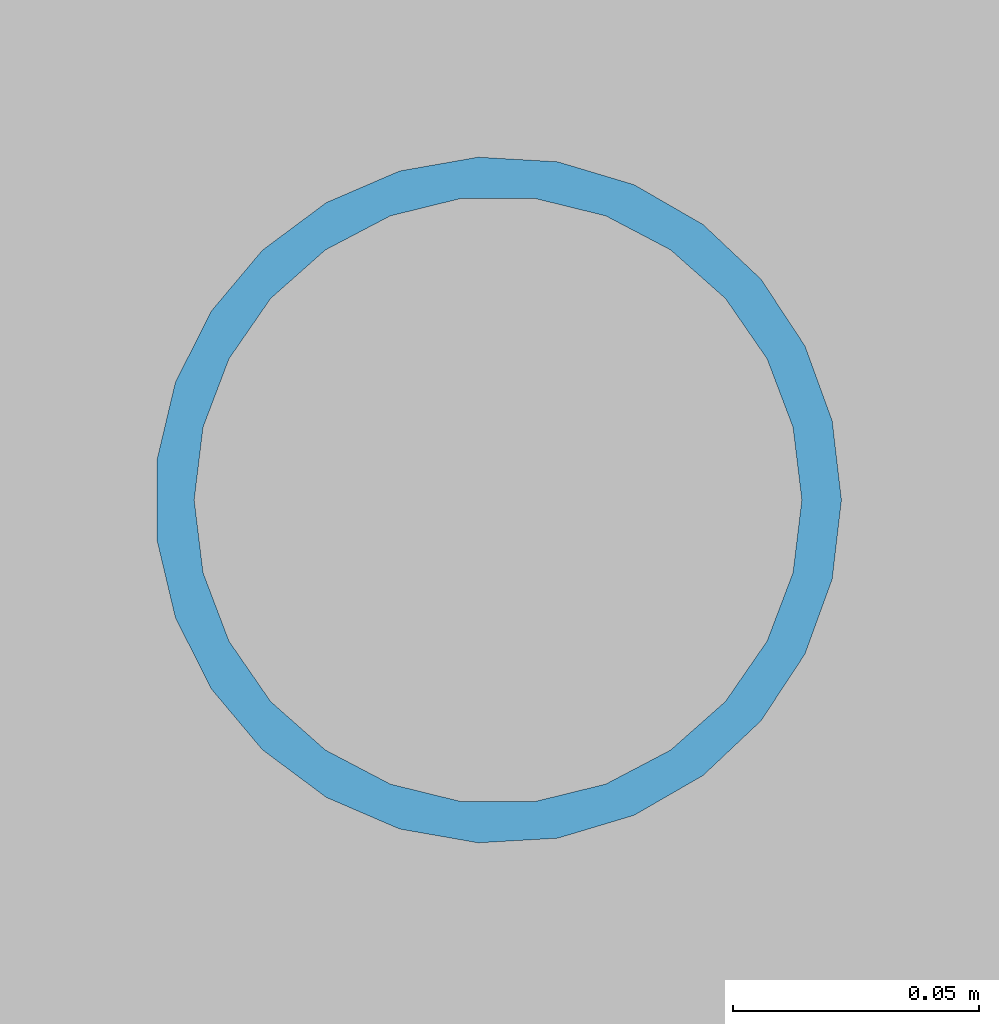
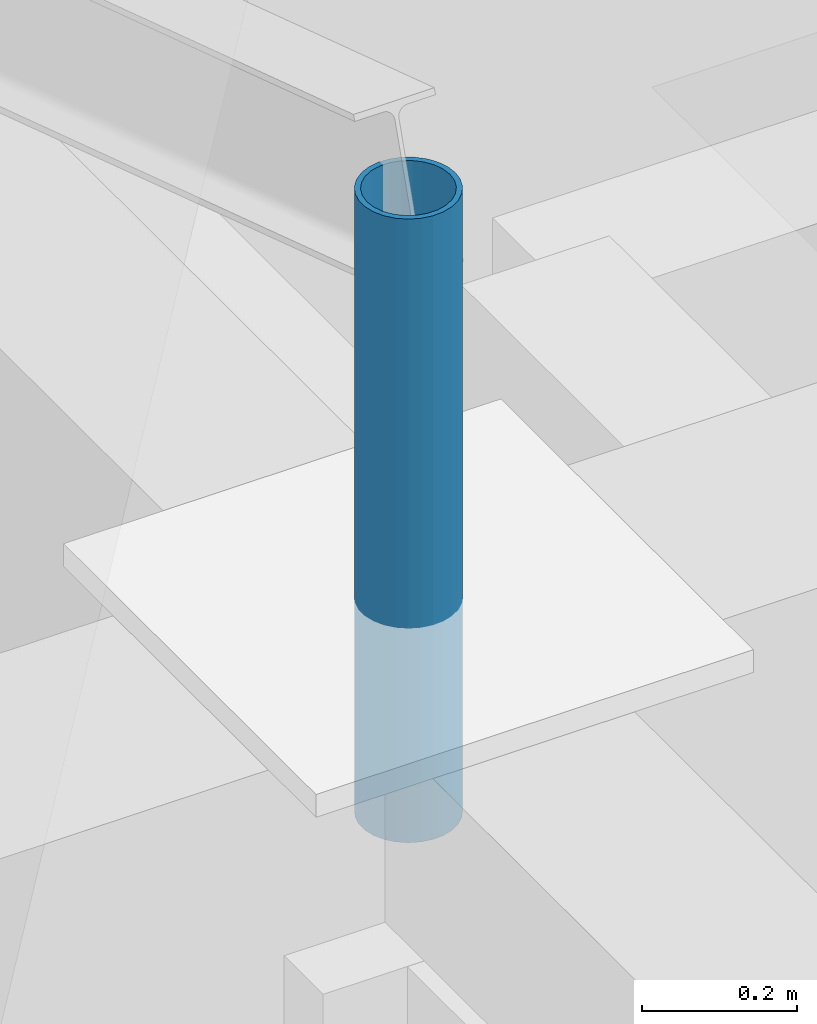
# One storey, part 26 of 39: 1 member.
"""IFC4 building model written with IfcOpenShell, lengths in metres."""

import ifcopenshell
import ifcopenshell.guid

model = None  # the IFC model being written
_history = None  # IfcOwnerHistory: only IFC2X3 demands one
_inside = {}  # id of a spatial element -> (the spatial element, [elements in it])
_under = {}  # id of a project, library or spatial element -> (it, [spatial elements below it])
_declared = {}  # id of a project -> (the project, [libraries it declares])
_typed = {}  # id of a type object -> (the type object, [elements of that type])
_made_of = {}  # id of a material, layer set ... -> (it, [elements and type objects made of it])


def new_model(schema):
    """Start an empty IFC model of exactly this schema.

    Asked for "IFC4X3", IfcOpenShell would pick the latest addendum, in which some entities
    have other attributes; the version numbers below select the first issue.
    IFC2X3 requires an IfcOwnerHistory on every rooted entity: one is made here for all.
    """
    global model, _history
    if schema == "IFC4X3":
        model = ifcopenshell.file(schema_version=(4, 3, 0, 0))
    else:
        model = ifcopenshell.file(schema=schema)
    _inside.clear()
    _under.clear()
    _declared.clear()
    _typed.clear()
    _made_of.clear()
    _history = None
    if model.schema == "IFC2X3":
        org = make("IfcOrganization", Name="unknown")
        user = make(
            "IfcPersonAndOrganization",
            ThePerson=make("IfcPerson", FamilyName="unknown"),
            TheOrganization=org,
        )
        app = make(
            "IfcApplication",
            ApplicationDeveloper=org,
            Version="unknown",
            ApplicationFullName="unknown",
            ApplicationIdentifier="unknown",
        )
        _history = make(
            "IfcOwnerHistory",
            OwningUser=user,
            OwningApplication=app,
            ChangeAction="ADDED",
            CreationDate=0,
        )
    return model


def make(cls, **values):
    """One entity of the class cls with the attributes given. An attribute that is None is left unset."""
    return model.create_entity(
        cls, **{name: value for name, value in values.items() if value is not None}
    )


def rooted(cls, **values):
    """An entity with a GlobalId (a new one), such as an element, a storey or a relation."""
    return make(cls, GlobalId=ifcopenshell.guid.new(), OwnerHistory=_history, **values)


def si_unit(unit_type, name, prefix=None):
    """IfcSIUnit, for example si_unit("LENGTHUNIT", "METRE", prefix="MILLI")."""
    return make("IfcSIUnit", UnitType=unit_type, Prefix=prefix, Name=name)


def assignment(units):
    """IfcUnitAssignment: the units of a project."""
    return None if units is None else make("IfcUnitAssignment", Units=units)


def point(xyz):
    """IfcCartesianPoint."""
    return None if xyz is None else make("IfcCartesianPoint", Coordinates=xyz)


def direction(xyz):
    """IfcDirection."""
    return None if xyz is None else make("IfcDirection", DirectionRatios=xyz)


def frame(location, z_axis=None, x_axis=None):
    """IfcAxis2Placement3D, a coordinate frame: its origin and axes. An axis left out is left unset."""
    return make(
        "IfcAxis2Placement3D",
        Location=point(location),
        Axis=direction(z_axis),
        RefDirection=direction(x_axis),
    )


def frame_2d(location, x_axis=None):
    """IfcAxis2Placement2D, a coordinate frame in the plane: its origin and x axis."""
    return make(
        "IfcAxis2Placement2D", Location=point(location), RefDirection=direction(x_axis)
    )


def origin():
    """The frame at (0, 0, 0) with its axes left unset."""
    return frame((0.0, 0.0, 0.0))


def origin_2d():
    """The frame at (0, 0) in the plane with its x axis left unset."""
    return frame_2d((0.0, 0.0))


def place(relative_to, where):
    """IfcLocalPlacement: puts the frame where relative to a parent placement (None: the world)."""
    return make(
        "IfcLocalPlacement", PlacementRelTo=relative_to, RelativePlacement=where
    )


def context(
    kind, dimensions, precision=None, world=None, true_north=None, identifier=None
):
    """IfcGeometricRepresentationContext, for example the 3D "Model" context."""
    return make(
        "IfcGeometricRepresentationContext",
        ContextIdentifier=identifier,
        ContextType=kind,
        CoordinateSpaceDimension=dimensions,
        Precision=precision,
        WorldCoordinateSystem=world,
        TrueNorth=true_north,
    )


def subcontext(parent, identifier, kind, view, scale=None):
    """IfcGeometricRepresentationSubContext, for example "Body" below "Model"."""
    return make(
        "IfcGeometricRepresentationSubContext",
        ContextIdentifier=identifier,
        ContextType=kind,
        ParentContext=parent,
        TargetScale=scale,
        TargetView=view,
    )


def project(units=None, contexts=None):
    """IfcProject with its units and contexts."""
    return rooted(
        "IfcProject",
        Name="project",
        RepresentationContexts=contexts,
        UnitsInContext=assignment(units),
    )


def spatial(cls, under=None, at=None, **own):
    """A site, building, storey or space (cls), placed at a placement, below another one or the project."""
    s = rooted(cls, ObjectPlacement=at, **own)
    if under is not None:
        _under.setdefault(under.id(), (under, []))[1].append(s)
    return s


def profile(cls, at=None, kind="AREA", **sizes):
    """A parametric profile (cls). Its sizes go by their IFC names, for example OverallWidth=200.0."""
    return make(cls, ProfileType=kind, Position=at, **sizes)


def hollow_circle(**sizes):
    """IfcCircleHollowProfileDef."""
    return profile("IfcCircleHollowProfileDef", **sizes)


def extrude(swept, where, along, depth):
    """IfcExtrudedAreaSolid: the profile swept, set in the frame where, extruded along a direction by depth."""
    return make(
        "IfcExtrudedAreaSolid",
        SweptArea=swept,
        Position=where,
        ExtrudedDirection=direction(along),
        Depth=depth,
    )


def shape(context_of_items, identifier, shape_type, items):
    """IfcShapeRepresentation: the items that make up one representation, for example the "Body"."""
    return make(
        "IfcShapeRepresentation",
        ContextOfItems=context_of_items,
        RepresentationIdentifier=identifier,
        RepresentationType=shape_type,
        Items=items,
    )


def material(Name=None, Category=None):
    """IfcMaterial."""
    return make("IfcMaterial", Name=Name, Category=Category)


def material_profile(
    of_material, cross_section, Name=None, Category=None, Priority=None
):
    """IfcMaterialProfile: a cross section and its material."""
    return make(
        "IfcMaterialProfile",
        Name=Name,
        Material=of_material,
        Profile=cross_section,
        Priority=Priority,
        Category=Category,
    )


def profile_set(profiles, Name=None, composite=None):
    """IfcMaterialProfileSet."""
    return make(
        "IfcMaterialProfileSet",
        Name=Name,
        MaterialProfiles=profiles,
        CompositeProfile=composite,
    )


def made_of(thing, what):
    """Note that an element or type object is made of a material, layer set ...; save() writes the relation."""
    if what is not None:
        _made_of.setdefault(what.id(), (what, []))[1].append(thing)
    return thing


def type_object(cls, material=None, **own):
    """A type object (cls), such as IfcWallType, which elements share."""
    return made_of(rooted(cls, **own), material)


def element(
    cls,
    number,
    at=None,
    inside=None,
    cuts=None,
    type_object=None,
    material=None,
    context=None,
    identifier="Body",
    shape_type=None,
    held_by="IfcProductDefinitionShape",
    body=None,
    shapes=None,
    **own,
):
    """One element of the class cls, such as IfcWall. Its Tag is "e" and its number.

    at: its placement. inside: the storey or other place that contains it. cuts: it is an
    opening in that element (IfcRelVoidsElement). A single representation is given by context,
    identifier, shape_type and body (its items); several are given by shapes. held_by: the class
    of the entity that holds the representations. save() writes the other relations.
    """
    e = rooted(cls, Tag="e%d" % number, ObjectPlacement=at, **own)
    if body is not None:
        shapes = [shape(context, identifier, shape_type, body)]
    if shapes is not None:
        e.Representation = make(held_by, Representations=shapes)
    if inside is not None:
        _inside.setdefault(inside.id(), (inside, []))[1].append(e)
    if cuts is not None:
        rooted(
            "IfcRelVoidsElement", RelatingBuildingElement=cuts, RelatedOpeningElement=e
        )
    if type_object is not None:
        _typed.setdefault(type_object.id(), (type_object, []))[1].append(e)
    return made_of(e, material)


def aggregate(whole, parts):
    """IfcRelAggregates: a whole, such as a stair, and the parts it consists of."""
    return rooted("IfcRelAggregates", RelatingObject=whole, RelatedObjects=parts)


def save(model, path):
    """Write the relations noted so far, then the file.

    IfcRelAggregates (storeys below a building ...), IfcRelContainedInSpatialStructure (elements
    in a storey), IfcRelDefinesByType, IfcRelAssociatesMaterial and IfcRelDeclares: one each for
    every whole, place, type object, material and project.
    """
    for whole, parts in _under.values():
        aggregate(whole, parts)
    for where, things in _inside.values():
        rooted(
            "IfcRelContainedInSpatialStructure",
            RelatedElements=things,
            RelatingStructure=where,
        )
    for kind, things in _typed.values():
        rooted("IfcRelDefinesByType", RelatedObjects=things, RelatingType=kind)
    for what, things in _made_of.values():
        rooted("IfcRelAssociatesMaterial", RelatedObjects=things, RelatingMaterial=what)
    for by, libraries in _declared.values():
        rooted("IfcRelDeclares", RelatingContext=by, RelatedDefinitions=libraries)
    model.write(path)


model = new_model("IFC4")

# Units and contexts
model_context = context("Model", 3, precision=1e-05, world=origin(), true_north=direction((0.0, 1.0)))
body_context = subcontext(model_context, "Body", "Model", "MODEL_VIEW")
ifc_project = project(units=[si_unit("LENGTHUNIT", "METRE"), si_unit("AREAUNIT", "SQUARE_METRE"), si_unit("VOLUMEUNIT", "CUBIC_METRE"), si_unit("PLANEANGLEUNIT", "RADIAN"), si_unit("MASSUNIT", "GRAM", prefix="KILO")], contexts=[model_context])

# Site, building, storey
site_placement = place(None, origin())
site = spatial("IfcSite", under=ifc_project, at=site_placement, CompositionType="ELEMENT")
building_placement = place(site_placement, origin())
building = spatial("IfcBuilding", under=site, at=building_placement, Name="Akrevak Sports Hall", CompositionType="ELEMENT")
storey_placement = place(building_placement, frame((0.0, 0.0, 66.550048828125)))
storey = spatial("IfcBuildingStorey", under=building, at=storey_placement, Name="L17", CompositionType="ELEMENT", Elevation=66.550048828125)

# Member
ifc_material = material(Name="Steel S355", Category="steel")
ifc_material_profile = material_profile(ifc_material, hollow_circle(Radius=0.06982421875, WallThickness=0.008056640625, at=origin_2d()), Name="CHS 139.7x8", Category="steel")
ifc_profile_set = profile_set([ifc_material_profile], Name="Steel S355")
member_type = type_object("IfcMemberType", Name="STR-MEM-BRACE-CHS139", PredefinedType="BRACE", material=ifc_profile_set)
member_placement = place(storey_placement, frame((60.0, 62.39990234375, 2.949951171875), z_axis=(0.0, 0.0, 1.0), x_axis=(1.0, 0.0, 0.0)))
element("IfcMember", 1, at=member_placement, inside=storey, type_object=member_type, Name="Mansard Knee Post MANS-W-N-60", PredefinedType="BRACE", context=body_context, shape_type="SweptSolid", body=[
    extrude(hollow_circle(Radius=0.06982421875, WallThickness=0.008056640625, at=origin_2d()), origin(), (0.0, 0.0, 1.0), 0.97998046875),
])

save(model, "model.ifc")
